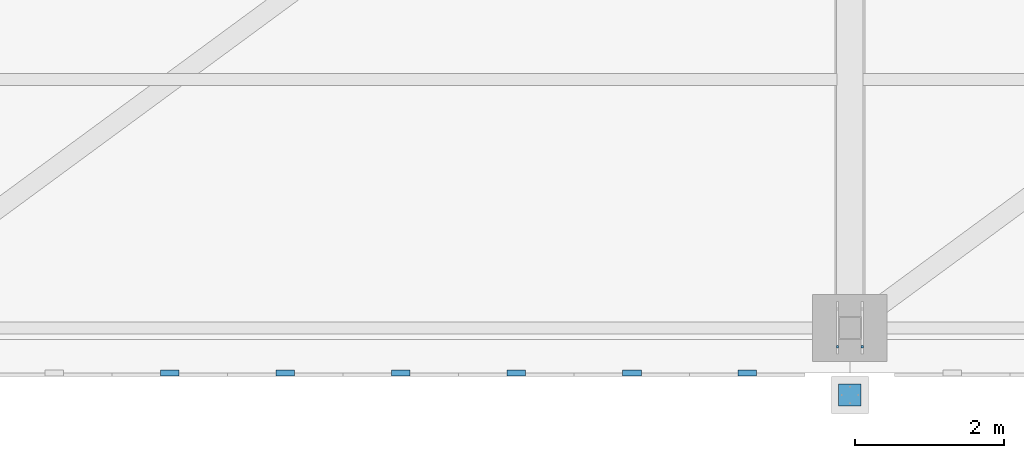
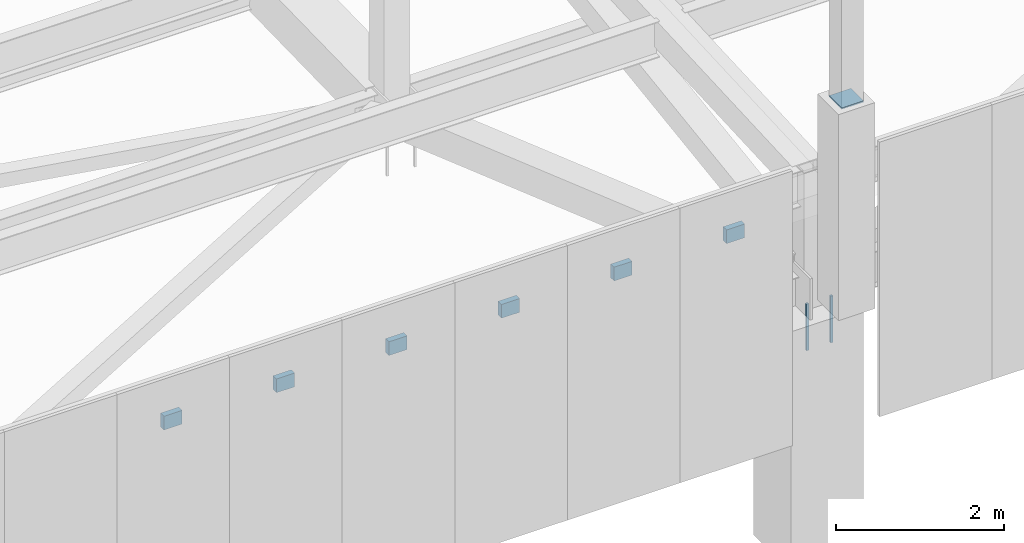
# One storey, part 139 of 278: 7 discrete accessories, 2 mechanical fasteners.
"""IFC4 building model written with IfcOpenShell, lengths in metres."""

from ifc_helpers import new_model, si_unit, direction, frame, origin, origin_2d, place, context, subcontext, project, spatial, rectangle, extrude, material, layer, layer_set, type_object, element, save


model = new_model("IFC4")

# Units and contexts
model_context = context("Model", 3, precision=1e-05, world=origin(), true_north=direction((0.0, 1.0)))
body_context = subcontext(model_context, "Body", "Model", "MODEL_VIEW")
ifc_project = project(units=[si_unit("LENGTHUNIT", "METRE"), si_unit("AREAUNIT", "SQUARE_METRE"), si_unit("VOLUMEUNIT", "CUBIC_METRE"), si_unit("PLANEANGLEUNIT", "RADIAN"), si_unit("MASSUNIT", "GRAM", prefix="KILO")], contexts=[model_context])

# Site, building, storey
site_placement = place(None, origin())
site = spatial("IfcSite", under=ifc_project, at=site_placement, CompositionType="ELEMENT")
building_placement = place(site_placement, origin())
building = spatial("IfcBuilding", under=site, at=building_placement, Name="Ogive Plaza Stadium", CompositionType="ELEMENT")
storey_placement = place(building_placement, frame((0.0, 0.0, 29.0)))
storey = spatial("IfcBuildingStorey", under=building, at=storey_placement, Name="Roof", CompositionType="ELEMENT", Elevation=29.0)

# Mechanical fasteners
ifc_material_1 = material(Name="Steel ASTM A992 Grade 50", Category="steel")
mechanical_fastener_type = type_object("IfcMechanicalFastenerType", Name="Anchor bolt M30 x 600", PredefinedType="ANCHORBOLT", material=ifc_material_1)
for number, where, z_axis, x_axis, name in (
    (1, (20.56640625, -102.75244140625, 3.0), (0.0, 0.0, 1.0), (0.0, -1.0, 0.0), "ANCHOR BOLT 13 BF 1.1"),
    (2, (20.233642578125, -102.75244140625, 3.0), (0.0, 0.0, 1.0), (0.0, -1.0, 0.0), "ANCHOR BOLT 13 BF 2.1"),
):
    element("IfcMechanicalFastener", number, at=place(storey_placement, frame(where, z_axis=z_axis, x_axis=x_axis)), inside=storey, type_object=mechanical_fastener_type, Name=name, PredefinedType="ANCHORBOLT", context=body_context, shape_type="SweptSolid", body=[
        extrude(rectangle(XDim=0.030029296875, YDim=0.030029296875, at=origin_2d()), origin(), (0.0, 0.0, 1.0), 0.679931640625),
    ])

# Discrete accessories
ifc_material_2 = material(Name="Steel ASTM A992 Grade 50", Category="steel")
ifc_layer_1 = layer(ifc_material_2, 0.02001953125)
ifc_layer_set_1 = layer_set([ifc_layer_1], Name="Steel ASTM A992 Grade 50")
discrete_accessory_type_1 = type_object("IfcDiscreteAccessoryType", Name="Spire seat plate 20", PredefinedType="ANCHORPLATE", material=ifc_layer_set_1)
discrete_accessory_placement = place(storey_placement, frame((20.39990234375, -103.39990234375, 6.98095703125), z_axis=(0.0, 0.0, 1.0), x_axis=(0.0, -1.0, 0.0)))
element("IfcDiscreteAccessory", 3, at=discrete_accessory_placement, inside=storey, type_object=discrete_accessory_type_1, Name="SPIRE SEAT PLATE 13", PredefinedType="ANCHORPLATE", context=body_context, shape_type="SweptSolid", body=[
    extrude(rectangle(XDim=0.300048828125, YDim=0.300048828125, at=origin_2d()), origin(), (0.0, 0.0, 1.0), 0.02001953125),
])
ifc_material_3 = material(Name="Steel ASTM A572 Grade 50", Category="steel")
ifc_layer_2 = layer(ifc_material_3, 0.080078125)
ifc_layer_set_2 = layer_set([ifc_layer_2], Name="Steel ASTM A572 Grade 50")
discrete_accessory_type_2 = type_object("IfcDiscreteAccessoryType", Name="Tracery screen bracket 250x200", PredefinedType="BRACKET", material=ifc_layer_set_2)
for number, where, z_axis, x_axis, name in (
    (4, (19.02490234375, -103.102294921875, 5.25), (0.0, 0.0, 1.0), (-1.0, 0.0, 0.0), "TRACERY SCREEN BRACKET B13 1"),
    (5, (17.47509765625, -103.102294921875, 5.25), (0.0, 0.0, 1.0), (-1.0, 0.0, 0.0), "TRACERY SCREEN BRACKET B13 2"),
    (6, (15.925048828125, -103.102294921875, 5.25), (0.0, 0.0, 1.0), (-1.0, 0.0, 0.0), "TRACERY SCREEN BRACKET B13 3"),
    (7, (14.375, -103.102294921875, 5.25), (0.0, 0.0, 1.0), (-1.0, 0.0, 0.0), "TRACERY SCREEN BRACKET B13 4"),
    (8, (12.824951171875, -103.102294921875, 5.25), (0.0, 0.0, 1.0), (-1.0, 0.0, 0.0), "TRACERY SCREEN BRACKET B13 5"),
    (9, (11.27490234375, -103.102294921875, 5.25), (0.0, 0.0, 1.0), (-1.0, 0.0, 0.0), "TRACERY SCREEN BRACKET B13 6"),
):
    element("IfcDiscreteAccessory", number, at=place(storey_placement, frame(where, z_axis=z_axis, x_axis=x_axis)), inside=storey, type_object=discrete_accessory_type_2, Name=name, PredefinedType="BRACKET", context=body_context, shape_type="SweptSolid", body=[
        extrude(rectangle(XDim=0.25, YDim=0.080078125, at=origin_2d()), origin(), (0.0, 0.0, 1.0), 0.199951171875),
    ])

save(model, "model.ifc")
